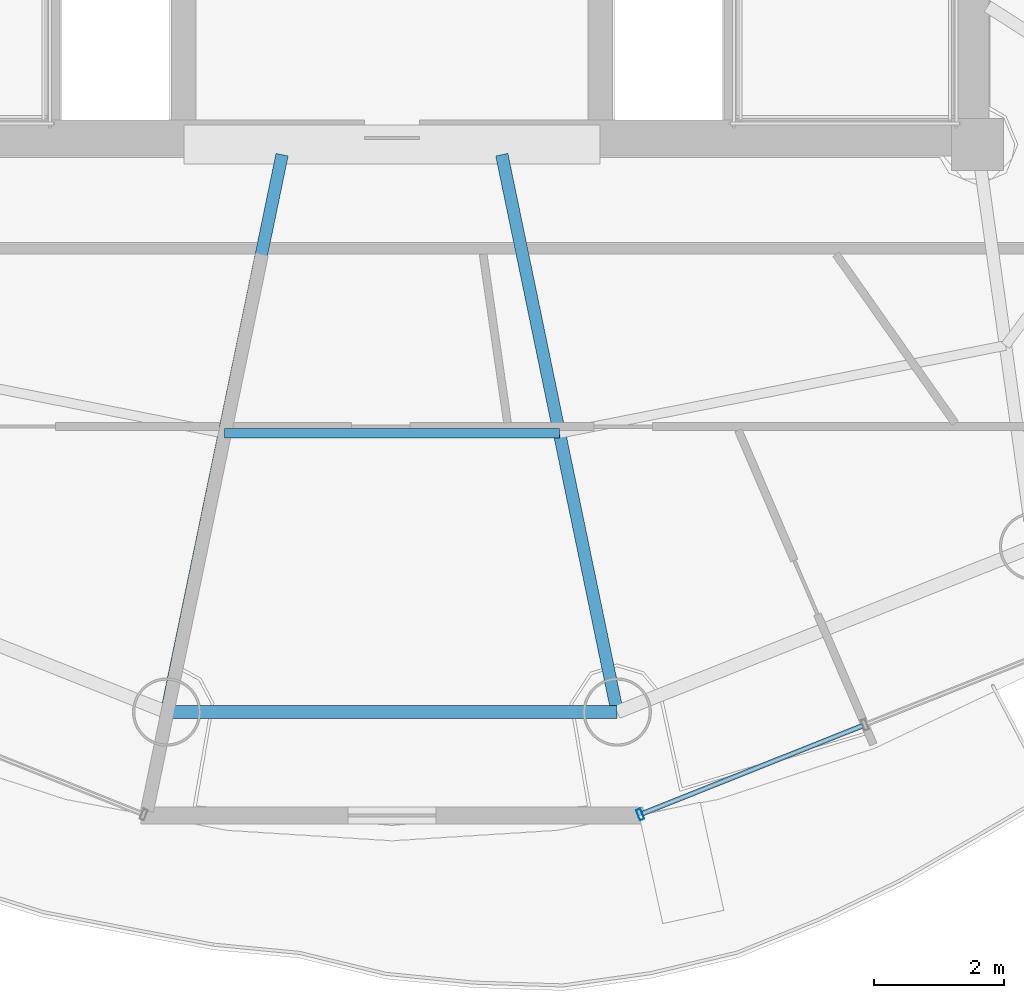
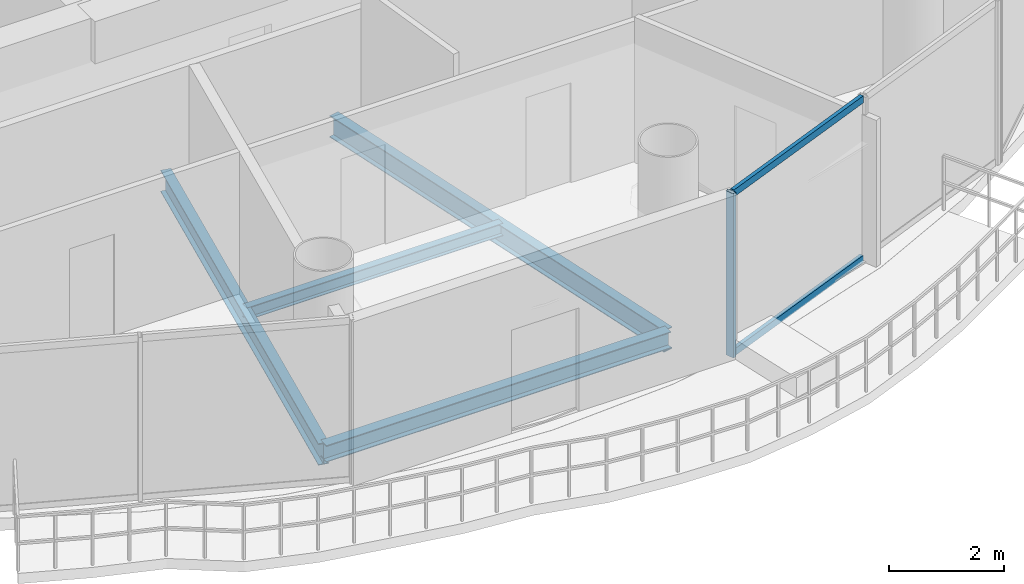
# One storey, part 5 of 23: 4 beams, 3 members, 1 element without a shape of its own.
"""IFC4 building model written with IfcOpenShell, lengths in metres."""

from ifc_helpers import new_model, si_unit, direction, frame, origin, origin_2d, place, context, subcontext, project, spatial, hollow_rectangle, i_section, extrude, source, transform, mapped, material, material_profile, profile_set, type_object, element, aggregate, save


model = new_model("IFC4")

# Units and contexts
model_context = context("Model", 3, precision=1e-05, world=origin(), true_north=direction((-0.2419218956, 0.970295726276)))
body_context = subcontext(model_context, "Body", "Model", "MODEL_VIEW")
ifc_project = project(units=[si_unit("LENGTHUNIT", "METRE"), si_unit("AREAUNIT", "SQUARE_METRE"), si_unit("VOLUMEUNIT", "CUBIC_METRE"), si_unit("PLANEANGLEUNIT", "RADIAN"), si_unit("MASSUNIT", "GRAM", prefix="KILO")], contexts=[model_context])

# Site, building, storey
site_placement = place(None, origin())
site = spatial("IfcSite", under=ifc_project, at=site_placement, CompositionType="ELEMENT")
building_placement = place(site_placement, origin())
building = spatial("IfcBuilding", under=site, at=building_placement, Name="Cobrevalo Terracotta Tower", CompositionType="ELEMENT")
storey_placement = place(building_placement, frame((0.0, 0.0, 259.449951171875)))
storey = spatial("IfcBuildingStorey", under=building, at=storey_placement, Name="L68", CompositionType="ELEMENT", Elevation=259.449951171875)

# Beams
ifc_material_1 = material(Name="Steel S355", Category="steel")
ifc_material_profile_1 = material_profile(ifc_material_1, i_section(OverallWidth=0.19091796875, OverallDepth=0.4599609375, WebThickness=0.010009765625, FlangeThickness=0.01611328125, at=origin_2d()), Name="W 460x82")
ifc_profile_set_1 = profile_set([ifc_material_profile_1], Name="Steel S355")
beam_type_1 = type_object("IfcBeamType", Name="Structural Beam W 460x82 (Steel S355)", PredefinedType="BEAM", material=ifc_profile_set_1)
for number, where, z_axis, x_axis, name in (
    (1, (34.537109375, 10.07763671875, -0.489990234375), (0.202781841237, 0.9792239401, 0.0), (-0.9792239401, 0.202781841237, 0.0), "L68 radial floor girder 12"),
    (2, (41.462890625, 10.07763671875, -0.489990234375), (-0.202781841237, 0.9792239401, 0.0), (-0.9792239401, -0.202781841237, 0.0), "L68 radial floor girder 13"),
):
    element("IfcBeam", number, at=place(storey_placement, frame(where, z_axis=z_axis, x_axis=x_axis)), inside=storey, type_object=beam_type_1, Name=name, PredefinedType="BEAM", context=body_context, shape_type="SweptSolid", body=[
        extrude(i_section(OverallWidth=0.19091796875, OverallDepth=0.4599609375, WebThickness=0.010009765625, FlangeThickness=0.01611328125, at=origin_2d()), origin(), (0.0, 0.0, 1.0), 8.749267578125),
    ])
ifc_material_profile_2 = material_profile(ifc_material_1, i_section(OverallWidth=0.14794921875, OverallDepth=0.26611328125, WebThickness=0.007568359375, FlangeThickness=0.012939453125, at=origin_2d()), Name="W 250x44.8")
ifc_profile_set_2 = profile_set([ifc_material_profile_2], Name="Steel S355")
beam_type_2 = type_object("IfcBeamType", Name="Structural Joist W 250x44.8 (Steel S355)", PredefinedType="JOIST", material=ifc_profile_set_2)
beam_1_placement = place(storey_placement, frame((35.42431640625, 14.361328125, -0.39306640625), z_axis=(1.0, 0.0, 0.0), x_axis=(0.0, 1.0, 0.0)))
element("IfcBeam", 3, at=beam_1_placement, inside=storey, type_object=beam_type_2, Name="L68 circumferential secondary floor joist 12", PredefinedType="JOIST", context=body_context, shape_type="SweptSolid", body=[
    extrude(i_section(OverallWidth=0.14794921875, OverallDepth=0.26611328125, WebThickness=0.007568359375, FlangeThickness=0.012939453125, at=origin_2d()), origin(), (0.0, 0.0, 1.0), 5.1513671875),
])
ifc_material_profile_3 = material_profile(ifc_material_1, i_section(OverallWidth=0.205078125, OverallDepth=0.35400390625, WebThickness=0.009521484375, FlangeThickness=0.016845703125, at=origin_2d()), Name="W 360x79")
ifc_profile_set_3 = profile_set([ifc_material_profile_3], Name="Steel S355")
beam_type_3 = type_object("IfcBeamType", Name="Structural Spandrel W 360x79 (Steel S355)", PredefinedType="SPANDREL", material=ifc_profile_set_3)
beam_2_placement = place(storey_placement, frame((34.537109375, 10.07763671875, -0.43701171875), z_axis=(1.0, 0.0, 0.0), x_axis=(0.0, 1.0, 0.0)))
element("IfcBeam", 4, at=beam_2_placement, inside=storey, type_object=beam_type_3, Name="L68 perimeter ring spandrel 12", PredefinedType="SPANDREL", context=body_context, shape_type="SweptSolid", body=[
    extrude(i_section(OverallWidth=0.205078125, OverallDepth=0.35400390625, WebThickness=0.009521484375, FlangeThickness=0.016845703125, at=origin_2d()), origin(), (0.0, 0.0, 1.0), 6.92578125),
])

# Curtain wall, members
ifc_material_2 = material(Name="Anodized aluminium", Category="aluminium")
curtain_wall_type = type_object("IfcCurtainWallType", Name="Upper-tower triple-glazed penthouse curtain wall CW-U3", PredefinedType="NOTDEFINED", material=ifc_material_2)
curtain_wall_placement = place(storey_placement, origin())
curtain_wall = element("IfcCurtainWall", 5, at=curtain_wall_placement, inside=storey, type_object=curtain_wall_type, Name="L68 curtain wall CW-L68-S13", PredefinedType="NOTDEFINED")
ifc_material_profile_4 = material_profile(ifc_material_2, hollow_rectangle(XDim=0.070068359375, YDim=0.169921875, WallThickness=0.00439453125, at=origin_2d()), Name="CWM 70x170")
ifc_profile_set_4 = profile_set([ifc_material_profile_4], Name="Anodized aluminium")
member_type_1 = type_object("IfcMemberType", Name="Upper tower unitised mullion 70x170", PredefinedType="MULLION", material=ifc_profile_set_4)
shared_shape_1 = source(origin(), body_context, "Body", "SweptSolid", [
    extrude(hollow_rectangle(XDim=0.070068359375, YDim=0.169921875, WallThickness=0.00439453125, at=origin_2d()), origin(), (0.0, 0.0, 1.0), 3.489990234375),
])
member_1_placement = place(storey_placement, frame((41.816162109375, 8.503662109375, 0.0), z_axis=(0.0, 0.0, 1.0), x_axis=(0.928718980883, 0.370784377433, 0.0)))
member_1 = element("IfcMember", 6, at=member_1_placement, type_object=member_type_1, Name="CW-L68-S13 vertical mullion 01", PredefinedType="MULLION", context=body_context, shape_type="MappedRepresentation", body=[
    mapped(shared_shape_1, transform((0.0, 0.0, 0.0), scale=1.0)),
])
ifc_material_profile_5 = material_profile(ifc_material_2, hollow_rectangle(XDim=0.074951171875, YDim=0.14990234375, WallThickness=0.00439453125, at=origin_2d()), Name="CWT 75x150")
ifc_profile_set_5 = profile_set([ifc_material_profile_5], Name="Anodized aluminium")
member_type_2 = type_object("IfcMemberType", Name="Tower unitised aluminium transom 75x150", PredefinedType="USERDEFINED", material=ifc_profile_set_5)
shared_shape_2 = source(origin(), body_context, "Body", "SweptSolid", [
    extrude(hollow_rectangle(XDim=0.074951171875, YDim=0.14990234375, WallThickness=0.00439453125, at=origin_2d()), origin(), (0.0, 0.0, 1.0), 3.63916015625),
])
member_2_placement = place(storey_placement, frame((41.853271484375, 8.518310546875, 0.050048828125), z_axis=(0.928712471544, 0.370800681227, 0.0), x_axis=(-0.370800681227, 0.928712471544, 0.0)))
member_2 = element("IfcMember", 7, at=member_2_placement, type_object=member_type_2, Name="CW-L68-S13 transom B01-T1", ObjectType="TRANSOM", PredefinedType="USERDEFINED", context=body_context, shape_type="MappedRepresentation", body=[
    mapped(shared_shape_2, transform((0.0, 0.0, 0.0), scale=1.0)),
])
member_3_placement = place(storey_placement, frame((41.853271484375, 8.518310546875, 3.43994140625), z_axis=(0.928712471544, 0.370800681227, 0.0), x_axis=(-0.370800681227, 0.928712471544, 0.0)))
member_3 = element("IfcMember", 8, at=member_3_placement, type_object=member_type_2, Name="CW-L68-S13 transom B01-T2", ObjectType="TRANSOM", PredefinedType="USERDEFINED", context=body_context, shape_type="MappedRepresentation", body=[
    mapped(shared_shape_2, transform((0.0, 0.0, 0.0), scale=1.0)),
])
aggregate(curtain_wall, [member_1, member_2, member_3])

save(model, "model.ifc")
